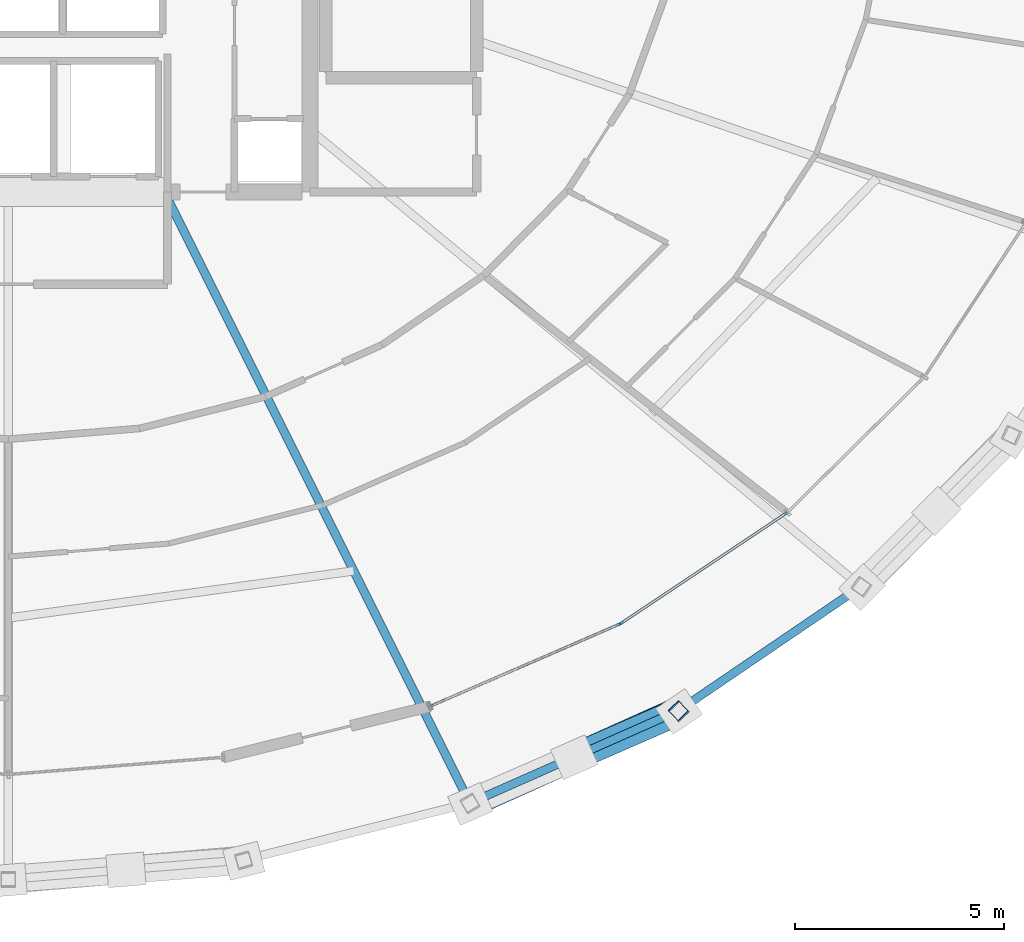
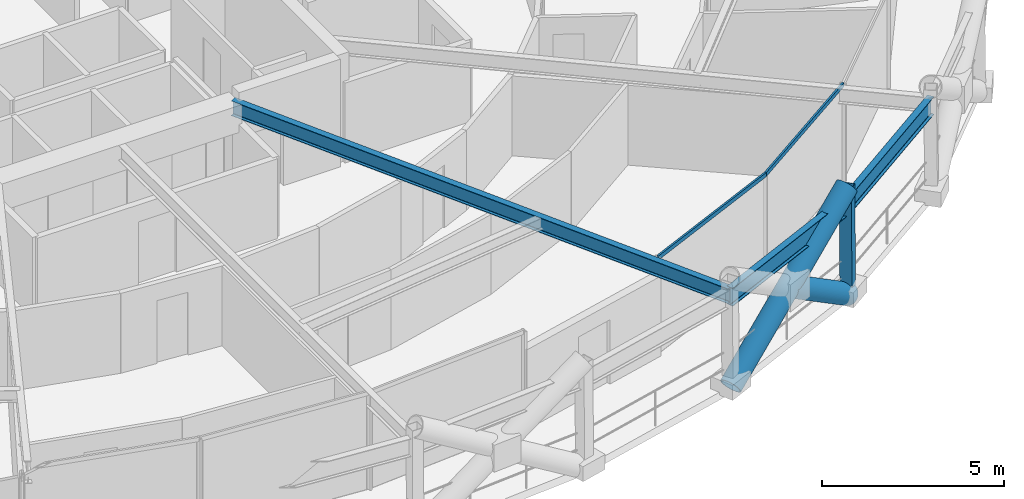
# One storey, part 7 of 23: 5 members, 3 beams, 1 element without a shape of its own.
"""IFC4 building model written with IfcOpenShell, lengths in metres."""

from ifc_helpers import new_model, si_unit, direction, frame, origin, origin_2d, place, context, subcontext, project, spatial, hollow_rectangle, hollow_circle, i_section, extrude, material, layer, layer_set, material_profile, profile_set, type_object, element, aggregate, save


model = new_model("IFC4")

# Units and contexts
model_context = context("Model", 3, precision=1e-05, world=origin(), true_north=direction((0.0, 1.0)))
body_context = subcontext(model_context, "Body", "Model", "MODEL_VIEW")
ifc_project = project(units=[si_unit("LENGTHUNIT", "METRE"), si_unit("AREAUNIT", "SQUARE_METRE"), si_unit("VOLUMEUNIT", "CUBIC_METRE"), si_unit("PLANEANGLEUNIT", "RADIAN"), si_unit("MASSUNIT", "GRAM", prefix="KILO")], contexts=[model_context])

# Site, building, storey
site_placement = place(None, origin())
site = spatial("IfcSite", under=ifc_project, at=site_placement, CompositionType="ELEMENT")
building_placement = place(site_placement, origin())
building = spatial("IfcBuilding", under=site, at=building_placement, Name="Veldorina Hangang Commons", CompositionType="ELEMENT")
storey_placement = place(building_placement, frame((0.0, 0.0, 102.39990234375)))
storey = spatial("IfcBuildingStorey", under=building, at=storey_placement, Name="L26", CompositionType="ELEMENT", Elevation=102.39990234375)

# Beams
ifc_material_1 = material(Name="Steel SM420-TMC", Category="steel")
ifc_material_profile_1 = material_profile(ifc_material_1, i_section(OverallWidth=0.199951171875, OverallDepth=0.5, WebThickness=0.010009765625, FlangeThickness=0.01611328125, FilletRadius=0.01611328125, at=origin_2d()), Name="H-500x200x10x16")
ifc_profile_set_1 = profile_set([ifc_material_profile_1], Name="Steel SM420-TMC")
beam_type_1 = type_object("IfcBeamType", Name="BM-FG500", PredefinedType="BEAM", material=ifc_profile_set_1)
beam_1_placement = place(storey_placement, frame((35.724609375, 16.550048828125, 3.050048828125), z_axis=(0.447171677342, -0.894448148851, 0.0), x_axis=(0.894448148851, 0.447171677342, 0.0)))
element("IfcBeam", 1, at=beam_1_placement, inside=storey, type_object=beam_type_1, Name="L26 radial floor girder 14", PredefinedType="BEAM", context=body_context, shape_type="SweptSolid", body=[
    extrude(i_section(OverallWidth=0.199951171875, OverallDepth=0.5, WebThickness=0.010009765625, FlangeThickness=0.01611328125, FilletRadius=0.01611328125, at=origin_2d()), origin(), (0.0, 0.0, 1.0), 16.30810546875),
])
ifc_material_profile_2 = material_profile(ifc_material_1, i_section(OverallWidth=0.199951171875, OverallDepth=0.60009765625, WebThickness=0.010986328125, FlangeThickness=0.01708984375, FilletRadius=0.01806640625, at=origin_2d()), Name="H-600x200x11x17")
ifc_profile_set_2 = profile_set([ifc_material_profile_2], Name="Steel SM420-TMC")
beam_type_2 = type_object("IfcBeamType", Name="BM-RB600", PredefinedType="BEAM", material=ifc_profile_set_2)
beam_2_placement = place(storey_placement, frame((43.01708984375, 1.96337890625, 3.0), z_axis=(0.914358166606, 0.404906338751, 0.0), x_axis=(-0.404906338751, 0.914358166606, 0.0)))
element("IfcBeam", 2, at=beam_2_placement, inside=storey, type_object=beam_type_2, Name="L26 perimeter hoop ring beam 26", PredefinedType="BEAM", context=body_context, shape_type="SweptSolid", body=[
    extrude(i_section(OverallWidth=0.199951171875, OverallDepth=0.60009765625, WebThickness=0.010986328125, FlangeThickness=0.01708984375, FilletRadius=0.01806640625, at=origin_2d()), origin(), (0.0, 0.0, 1.0), 5.443603515625),
])
beam_3_placement = place(storey_placement, frame((47.994384765625, 4.16748046875, 3.0), z_axis=(0.826946298933, 0.562280907271, 0.0), x_axis=(-0.562280907271, 0.826946298933, 0.0)))
element("IfcBeam", 3, at=beam_3_placement, inside=storey, type_object=beam_type_2, Name="L26 perimeter hoop ring beam 27", PredefinedType="BEAM", context=body_context, shape_type="SweptSolid", body=[
    extrude(i_section(OverallWidth=0.199951171875, OverallDepth=0.60009765625, WebThickness=0.010986328125, FlangeThickness=0.01708984375, FilletRadius=0.01806640625, at=origin_2d()), origin(), (0.0, 0.0, 1.0), 5.275390625),
])

# Curtain wall, members
ifc_material_2 = material(Name="Glass Low-E Triple IGU", Category="glass")
ifc_layer = layer(ifc_material_2, 0.179931640625)
ifc_layer_set = layer_set([ifc_layer], Name="Glass Low-E Triple IGU")
curtain_wall_type = type_object("IfcCurtainWallType", Name="CW-SYS-Z1", PredefinedType="NOTDEFINED", material=ifc_layer_set)
curtain_wall_placement = place(storey_placement, origin())
curtain_wall = element("IfcCurtainWall", 4, at=curtain_wall_placement, inside=storey, type_object=curtain_wall_type, Name="L26 unitised curtain wall CW-L26-R2", PredefinedType="NOTDEFINED")
ifc_material_3 = material(Name="Aluminium Anodized AA6063-T6", Category="aluminium")
ifc_material_profile_3 = material_profile(ifc_material_3, hollow_rectangle(XDim=0.06005859375, YDim=0.139892578125, WallThickness=0.00341796875, at=origin_2d()), Name="ALU-RHS-140x60x3.5")
ifc_profile_set_3 = profile_set([ifc_material_profile_3], Name="Aluminium Anodized AA6063-T6")
member_type_1 = type_object("IfcMemberType", Name="CW-TRN-140", PredefinedType="USERDEFINED", material=ifc_profile_set_3)
member_1_placement = place(storey_placement, frame((42.064453125, 4.271728515625, 3.22021484375), z_axis=(0.917329059226, 0.398129874663, 0.0), x_axis=(-0.398129874663, 0.917329059226, 0.0)))
member_1 = element("IfcMember", 5, at=member_1_placement, type_object=member_type_1, Name="CW-L26-R2 facet 1 transom 1", ObjectType="TRANSOM", PredefinedType="USERDEFINED", context=body_context, shape_type="SweptSolid", body=[
    extrude(hollow_rectangle(XDim=0.06005859375, YDim=0.139892578125, WallThickness=0.00341796875, at=origin_2d()), origin(), (0.0, 0.0, 1.0), 4.95654296875),
])
member_2_placement = place(storey_placement, frame((46.611328125, 6.2451171875, 3.22021484375), z_axis=(0.83218360038, 0.554500185085, 0.0), x_axis=(-0.554500185085, 0.83218360038, 0.0)))
member_2 = element("IfcMember", 6, at=member_2_placement, type_object=member_type_1, Name="CW-L26-R2 facet 2 transom 1", ObjectType="TRANSOM", PredefinedType="USERDEFINED", context=body_context, shape_type="SweptSolid", body=[
    extrude(hollow_rectangle(XDim=0.06005859375, YDim=0.139892578125, WallThickness=0.00341796875, at=origin_2d()), origin(), (0.0, 0.0, 1.0), 4.7890625),
])
aggregate(curtain_wall, [member_1, member_2])

# Members
ifc_material_4 = material(Name="Steel SM460-TMC", Category="steel")
ifc_material_profile_4 = material_profile(ifc_material_4, hollow_circle(Radius=0.324951171875, WallThickness=0.031982421875, at=origin_2d()), Name="CHS-650x32")
ifc_profile_set_4 = profile_set([ifc_material_profile_4], Name="Steel SM460-TMC")
member_type_2 = type_object("IfcMemberType", Name="DG-CHS650", PredefinedType="BRACE", material=ifc_profile_set_4)
member_3_placement = place(storey_placement, frame((43.02880859375, 1.943603515625, 0.0), z_axis=(0.760761610043, 0.341472480611, 0.551940501929), x_axis=(-0.409496629782, 0.91231162998, 0.0)))
element("IfcMember", 7, at=member_3_placement, inside=storey, type_object=member_type_2, Name="L26 continuous perimeter diagrid brace 26", PredefinedType="BRACE", context=body_context, shape_type="SweptSolid", body=[
    extrude(hollow_circle(Radius=0.324951171875, WallThickness=0.031982421875, at=origin_2d()), origin(), (0.0, 0.0, 1.0), 6.522705078125),
])
member_4_placement = place(storey_placement, frame((48.01123046875, 4.149658203125, 0.0), z_axis=(-0.764739655037, -0.333934075366, 0.551054709919), x_axis=(0.400175475275, -0.916438535303, 0.0)))
element("IfcMember", 8, at=member_4_placement, inside=storey, type_object=member_type_2, Name="L26 split perimeter diagrid lower brace 27", PredefinedType="BRACE", context=body_context, shape_type="SweptSolid", body=[
    extrude(hollow_circle(Radius=0.324951171875, WallThickness=0.031982421875, at=origin_2d()), origin(), (0.0, 0.0, 1.0), 3.268798828125),
])
ifc_material_5 = material(Name="Steel SM355-TMC", Category="steel")
ifc_material_profile_5 = material_profile(ifc_material_5, hollow_rectangle(XDim=0.35009765625, YDim=0.35009765625, WallThickness=0.01611328125, at=origin_2d()), Name="SHS-350x350x16")
ifc_profile_set_5 = profile_set([ifc_material_profile_5], Name="Steel SM355-TMC")
member_type_3 = type_object("IfcMemberType", Name="STR-SHS350", PredefinedType="STRUT", material=ifc_profile_set_5)
member_5_placement = place(storey_placement, frame((48.01123046875, 4.149658203125, 0.0), z_axis=(-0.00562845794, 0.005899708925, 0.999966756395), x_axis=(-0.72354432643, -0.690277920617, 0.0)))
element("IfcMember", 9, at=member_5_placement, inside=storey, type_object=member_type_3, Name="L26 perimeter ring node post 27", PredefinedType="STRUT", context=body_context, shape_type="SweptSolid", body=[
    extrude(hollow_rectangle(XDim=0.35009765625, YDim=0.35009765625, WallThickness=0.01611328125, at=origin_2d()), origin(), (0.0, 0.0, 1.0), 3.60009765625),
])

save(model, "model.ifc")
